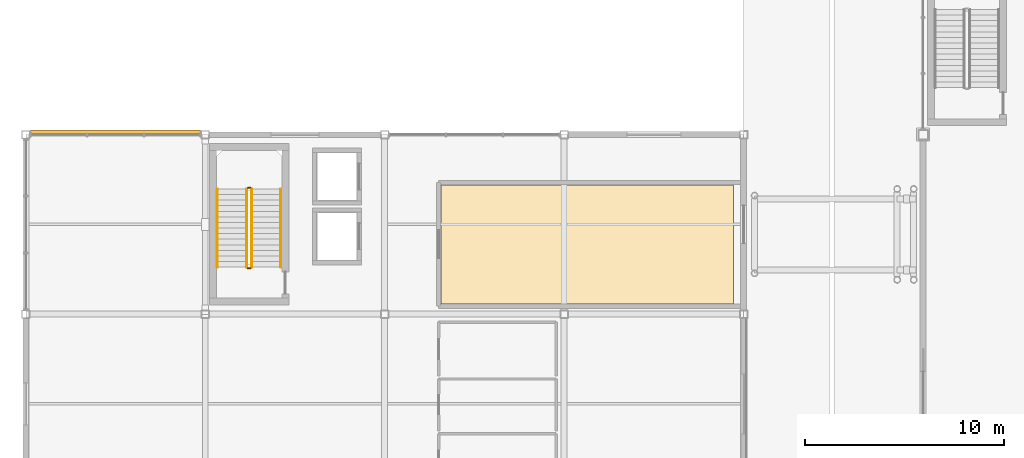
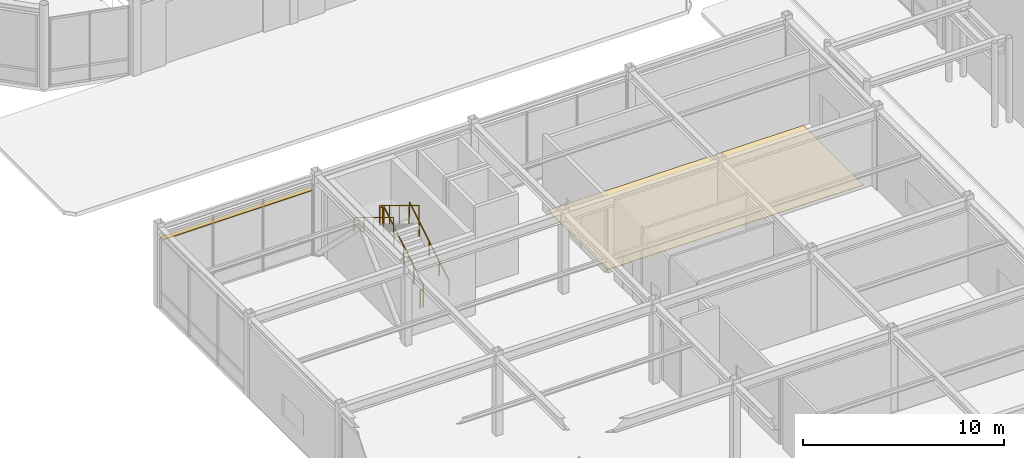
# One storey, part 108 of 123: 6 railings, 1 covering, 1 shading device.
"""IFC4 building model written with IfcOpenShell, lengths in metres."""

from ifc_helpers import new_model, si_unit, direction, frame, origin, origin_2d, place, context, subcontext, project, spatial, polyline, rectangle, circle, outline, extrude, material, layer, layer_set, material_profile, profile_set, type_object, element, save


model = new_model("IFC4")

# Units and contexts
model_context = context("Model", 3, precision=1e-05, world=origin(), true_north=direction((0.0, 1.0)))
body_context = subcontext(model_context, "Body", "Model", "MODEL_VIEW")
ifc_project = project(units=[si_unit("LENGTHUNIT", "METRE"), si_unit("AREAUNIT", "SQUARE_METRE"), si_unit("VOLUMEUNIT", "CUBIC_METRE"), si_unit("PLANEANGLEUNIT", "RADIAN"), si_unit("MASSUNIT", "GRAM", prefix="KILO")], contexts=[model_context])

# Site, building, storey
site_placement = place(None, origin())
site = spatial("IfcSite", under=ifc_project, at=site_placement, CompositionType="ELEMENT")
building_placement = place(site_placement, origin())
building = spatial("IfcBuilding", under=site, at=building_placement, Name="Suzunagisa Mobility Hub", CompositionType="ELEMENT")
storey_placement = place(building_placement, origin())
storey = spatial("IfcBuildingStorey", under=building, at=storey_placement, Name="L00", CompositionType="ELEMENT", Elevation=0.0)

# Railings
ifc_material_1 = material(Name="Stainless Steel SUS304", Category="metal")
railing_type_1 = type_object("IfcRailingType", Name="Interior Well Guardrail IGR-01", PredefinedType="GUARDRAIL", material=ifc_material_1)
railing_1_placement = place(storey_placement, frame((11.330078125, 55.360107421875, 0.169921875)))
element("IfcRailing", 1, at=railing_1_placement, inside=storey, type_object=railing_type_1, Name="L00 ST-01 stair guard 1", PredefinedType="GUARDRAIL", context=body_context, shape_type="SweptSolid", body=[
    extrude(circle(Radius=0.02392578125, at=origin_2d()), frame((0.0, 0.0, 1.09619140625), z_axis=(0.0, 0.854770645689, 0.519005918337), x_axis=(-1.0, 0.0, 0.0)), (0.0, 0.0, 1.0), 4.5859375),
    extrude(circle(Radius=0.02099609375, at=origin_2d()), origin(), (0.0, 0.0, 1.0), 1.072021484375),
    extrude(circle(Radius=0.02099609375, at=origin_2d()), frame((0.0, 0.97998046875, 0.594970703125)), (0.0, 0.0, 1.0), 1.072021484375),
    extrude(circle(Radius=0.02099609375, at=origin_2d()), frame((0.0, 1.9599609375, 1.18994140625)), (0.0, 0.0, 1.0), 1.072021484375),
    extrude(circle(Radius=0.02099609375, at=origin_2d()), frame((0.0, 2.93994140625, 1.78515625)), (0.0, 0.0, 1.0), 1.072021484375),
    extrude(circle(Radius=0.02099609375, at=origin_2d()), frame((0.0, 3.919921875, 2.380126953125)), (0.0, 0.0, 1.0), 1.072021484375),
])
railing_2_placement = place(storey_placement, frame((11.280029296875, 59.330078125, 2.550048828125)))
element("IfcRailing", 2, at=railing_2_placement, inside=storey, type_object=railing_type_1, Name="L00 ST-01 stair guard 2", PredefinedType="GUARDRAIL", context=body_context, shape_type="SweptSolid", body=[
    extrude(circle(Radius=0.02392578125, at=origin_2d()), frame((0.0, 0.0, 1.09619140625), z_axis=(-1.0, 0.0, 0.0), x_axis=(0.0, -1.0, 0.0)), (0.0, 0.0, 1.0), 0.159912109375),
    extrude(circle(Radius=0.02099609375, at=origin_2d()), origin(), (0.0, 0.0, 1.0), 1.072021484375),
    extrude(circle(Radius=0.02099609375, at=origin_2d()), frame((-0.159912109375, 0.0, 0.0)), (0.0, 0.0, 1.0), 1.072021484375),
])
railing_3_placement = place(storey_placement, frame((11.070068359375, 59.280029296875, 2.719970703125)))
element("IfcRailing", 3, at=railing_3_placement, inside=storey, type_object=railing_type_1, Name="L00 ST-01 stair guard 3", PredefinedType="GUARDRAIL", context=body_context, shape_type="SweptSolid", body=[
    extrude(circle(Radius=0.02392578125, at=origin_2d()), frame((0.0, 0.0, 1.09619140625), z_axis=(0.0, -0.854770645689, 0.519005918337), x_axis=(1.0, 0.0, 0.0)), (0.0, 0.0, 1.0), 4.5859375),
    extrude(circle(Radius=0.02099609375, at=origin_2d()), origin(), (0.0, 0.0, 1.0), 1.072021484375),
    extrude(circle(Radius=0.02099609375, at=origin_2d()), frame((0.0, -0.97998046875, 0.594970703125)), (0.0, 0.0, 1.0), 1.072021484375),
    extrude(circle(Radius=0.02099609375, at=origin_2d()), frame((0.0, -1.9599609375, 1.18994140625)), (0.0, 0.0, 1.0), 1.072021484375),
    extrude(circle(Radius=0.02099609375, at=origin_2d()), frame((0.0, -2.93994140625, 1.78515625)), (0.0, 0.0, 1.0), 1.072021484375),
    extrude(circle(Radius=0.02099609375, at=origin_2d()), frame((0.0, -3.919921875, 2.380126953125)), (0.0, 0.0, 1.0), 1.072021484375),
])
railing_4_placement = place(storey_placement, frame((11.280029296875, 55.31005859375, 0.0)))
element("IfcRailing", 4, at=railing_4_placement, inside=storey, type_object=railing_type_1, Name="L00 ST-01 stair guard 4", PredefinedType="GUARDRAIL", context=body_context, shape_type="SweptSolid", body=[
    extrude(circle(Radius=0.02392578125, at=origin_2d()), frame((0.0, 0.0, 1.09619140625), z_axis=(-1.0, 0.0, 0.0), x_axis=(0.0, -1.0, 0.0)), (0.0, 0.0, 1.0), 0.159912109375),
    extrude(circle(Radius=0.02099609375, at=origin_2d()), origin(), (0.0, 0.0, 1.0), 1.072021484375),
    extrude(circle(Radius=0.02099609375, at=origin_2d()), frame((-0.159912109375, 0.0, 0.0)), (0.0, 0.0, 1.0), 1.072021484375),
])

# Covering
ifc_material_2 = material(Name="Polished Aggregate Terrazzo Finish")
ifc_layer = layer(ifc_material_2, 0.02001953125)
ifc_layer_set = layer_set([ifc_layer], Name="Polished Aggregate Terrazzo Finish")
covering_type = type_object("IfcCoveringType", Name="Polished Terrazzo Heavy-Traffic Flooring FLR-01", PredefinedType="FLOORING", material=ifc_layer_set)
covering_placement = place(storey_placement, origin())
element("IfcCovering", 5, at=covering_placement, inside=storey, type_object=covering_type, Name="L00 Core C1 Protected Exit Corridor L00 Terrazzo Flooring", PredefinedType="FLOORING", context=body_context, shape_type="SweptSolid", body=[
    extrude(outline(polyline([(20.820068359375, 53.52001953125), (20.820068359375, 59.47998046875), (35.47998046875, 59.47998046875), (35.47998046875, 53.52001953125), (20.820068359375, 53.52001953125)])), origin(), (0.0, 0.0, 1.0), 0.02001953125),
])

# Shading device
ifc_material_3 = material(Name="Fluoropolymer-Coated Extruded Aluminum 6063-T5", Category="aluminium")
ifc_material_profile = material_profile(ifc_material_3, rectangle(XDim=0.280029296875, YDim=0.044921875, at=origin_2d()), Name="FIN-280x45")
ifc_profile_set = profile_set([ifc_material_profile], Name="Fluoropolymer-Coated Extruded Aluminum 6063-T5")
shading_device_type = type_object("IfcShadingDeviceType", Name="Streamline Aluminum Sunshade SF-03 FIN-280x45", PredefinedType="USERDEFINED", material=ifc_profile_set)
shading_device_placement = place(storey_placement, frame((8.767578125, 62.107421875, 3.912109375), z_axis=(-1.0, 0.0, 0.0), x_axis=(0.0, -1.0, 0.0)))
element("IfcShadingDevice", 6, at=shading_device_placement, inside=storey, type_object=shading_device_type, Name="L00 Streamline Speed-Rail Sunshade Fin SF-1", ObjectType="SUNSHADE FIN", PredefinedType="USERDEFINED", context=body_context, shape_type="SweptSolid", body=[
    extrude(rectangle(XDim=0.280029296875, YDim=0.044921875, at=origin_2d()), origin(), (0.0, 0.0, 1.0), 8.53515625),
])

# Railings
railing_type_2 = type_object("IfcRailingType", Name="Tubular Stainless Stair Handrail IHR-01", PredefinedType="HANDRAIL", material=ifc_material_1)
railing_5_placement = place(storey_placement, frame((12.7900390625, 55.360107421875, 0.169921875)))
element("IfcRailing", 7, at=railing_5_placement, inside=storey, type_object=railing_type_2, Name="L00 ST-01 stair handrail 1", PredefinedType="HANDRAIL", context=body_context, shape_type="SweptSolid", body=[
    extrude(circle(Radius=0.02392578125, at=origin_2d()), frame((0.0, 0.0, 0.8759765625), z_axis=(0.0, 0.854770645689, 0.519005918337), x_axis=(-1.0, 0.0, 0.0)), (0.0, 0.0, 1.0), 4.5859375),
    extrude(circle(Radius=0.02099609375, at=origin_2d()), origin(), (0.0, 0.0, 1.0), 0.851806640625),
    extrude(circle(Radius=0.02099609375, at=origin_2d()), frame((0.0, 0.97998046875, 0.594970703125)), (0.0, 0.0, 1.0), 0.851806640625),
    extrude(circle(Radius=0.02099609375, at=origin_2d()), frame((0.0, 1.9599609375, 1.18994140625)), (0.0, 0.0, 1.0), 0.851806640625),
    extrude(circle(Radius=0.02099609375, at=origin_2d()), frame((0.0, 2.93994140625, 1.78515625)), (0.0, 0.0, 1.0), 0.851806640625),
    extrude(circle(Radius=0.02099609375, at=origin_2d()), frame((0.0, 3.919921875, 2.380126953125)), (0.0, 0.0, 1.0), 0.851806640625),
])
railing_6_placement = place(storey_placement, frame((9.610107421875, 59.280029296875, 2.719970703125)))
element("IfcRailing", 8, at=railing_6_placement, inside=storey, type_object=railing_type_2, Name="L00 ST-01 stair handrail 2", PredefinedType="HANDRAIL", context=body_context, shape_type="SweptSolid", body=[
    extrude(circle(Radius=0.02392578125, at=origin_2d()), frame((0.0, 0.0, 0.8759765625), z_axis=(0.0, -0.854770645689, 0.519005918337), x_axis=(1.0, 0.0, 0.0)), (0.0, 0.0, 1.0), 4.5859375),
    extrude(circle(Radius=0.02099609375, at=origin_2d()), origin(), (0.0, 0.0, 1.0), 0.851806640625),
    extrude(circle(Radius=0.02099609375, at=origin_2d()), frame((0.0, -0.97998046875, 0.594970703125)), (0.0, 0.0, 1.0), 0.851806640625),
    extrude(circle(Radius=0.02099609375, at=origin_2d()), frame((0.0, -1.9599609375, 1.18994140625)), (0.0, 0.0, 1.0), 0.851806640625),
    extrude(circle(Radius=0.02099609375, at=origin_2d()), frame((0.0, -2.93994140625, 1.78515625)), (0.0, 0.0, 1.0), 0.851806640625),
    extrude(circle(Radius=0.02099609375, at=origin_2d()), frame((0.0, -3.919921875, 2.380126953125)), (0.0, 0.0, 1.0), 0.851806640625),
])

save(model, "model.ifc")
